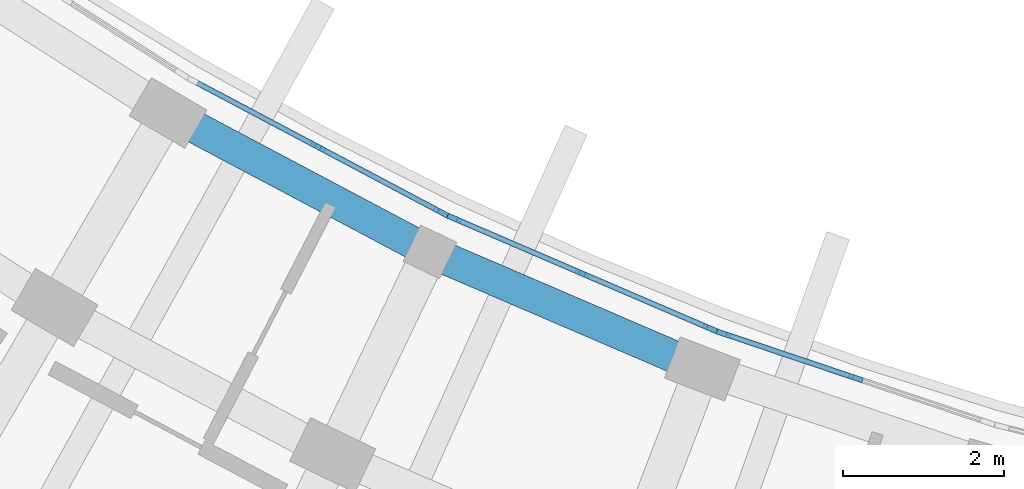
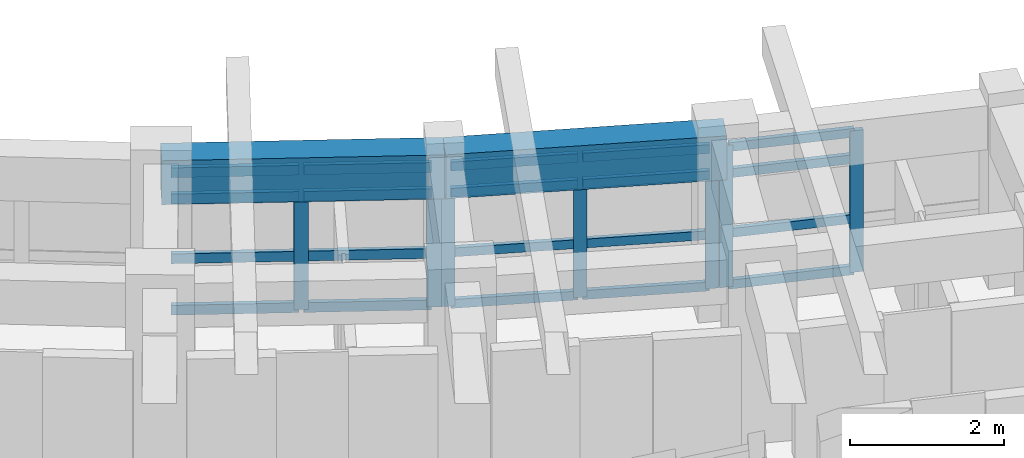
# One storey, part 24 of 70: 27 members, 2 beams, 3 elements without a shape of their own.
"""IFC4 building model written with IfcOpenShell, lengths in metres."""

from ifc_helpers import new_model, si_unit, direction, frame, origin, origin_2d, place, context, subcontext, project, spatial, rectangle, extrude, material, material_profile, profile_set, type_object, element, aggregate, save


model = new_model("IFC4")

# Units and contexts
model_context = context("Model", 3, precision=1e-05, world=origin(), true_north=direction((0.0, 1.0)))
body_context = subcontext(model_context, "Body", "Model", "MODEL_VIEW")
ifc_project = project(units=[si_unit("LENGTHUNIT", "METRE"), si_unit("AREAUNIT", "SQUARE_METRE"), si_unit("VOLUMEUNIT", "CUBIC_METRE"), si_unit("PLANEANGLEUNIT", "RADIAN"), si_unit("MASSUNIT", "GRAM", prefix="KILO")], contexts=[model_context])

# Site, building, storey
site_placement = place(None, origin())
site = spatial("IfcSite", under=ifc_project, at=site_placement, CompositionType="ELEMENT")
building_placement = place(site_placement, origin())
building = spatial("IfcBuilding", under=site, at=building_placement, Name="Zimvara Arc Housing Community", CompositionType="ELEMENT")
storey_placement = place(building_placement, frame((0.0, 0.0, 8.10009765625)))
storey = spatial("IfcBuildingStorey", under=building, at=storey_placement, Name="L02", CompositionType="ELEMENT", Elevation=8.10009765625)

# Beams
ifc_material_1 = material(Name="Concrete C40/50", Category="concrete")
ifc_material_profile_1 = material_profile(ifc_material_1, rectangle(XDim=0.39990234375, YDim=0.699951171875, at=origin_2d()), Name="RC 400x700")
ifc_profile_set_1 = profile_set([ifc_material_profile_1], Name="Concrete C40/50")
beam_type = type_object("IfcBeamType", Name="BM-RC-400x700", PredefinedType="BEAM", material=ifc_profile_set_1)
for number, where, z_axis, x_axis, name in (
    (1, (103.229248046875, 70.895751953125, 2.52978515625), (0.883449220086, -0.468526920815, 0.0), (0.468526920815, 0.883449220086, 0.0), "bm:blkC:L02:chord:r0:b4"),
    (2, (106.484375, 69.16943359375, 2.52978515625), (0.918716071386, -0.394918700718, 0.0), (0.394918700718, 0.918716071386, 0.0), "bm:blkC:L02:chord:r0:b5"),
):
    element("IfcBeam", number, at=place(storey_placement, frame(where, z_axis=z_axis, x_axis=x_axis)), inside=storey, type_object=beam_type, Name=name, PredefinedType="BEAM", context=body_context, shape_type="SweptSolid", body=[
        extrude(rectangle(XDim=0.39990234375, YDim=0.699951171875, at=origin_2d()), origin(), (0.0, 0.0, 1.0), 3.6845703125),
    ])

# Curtain wall, members
ifc_material_2 = material(Name="Anodised Aluminium AW-6063", Category="aluminium")
curtain_wall_type_1 = type_object("IfcCurtainWallType", Name="CW-SYS-04", PredefinedType="USERDEFINED", material=ifc_material_2)
curtain_wall_1_placement = place(storey_placement, origin())
curtain_wall_1 = element("IfcCurtainWall", 3, at=curtain_wall_1_placement, inside=storey, type_object=curtain_wall_type_1, Name="cw:blkC:L02:in:b5", ObjectType="CURTAIN WALL", PredefinedType="USERDEFINED")
ifc_material_3 = material(Name="Anodised Aluminium AW-6063", Category="aluminium")
ifc_material_profile_2 = material_profile(ifc_material_3, rectangle(XDim=0.06494140625, YDim=0.179931640625, at=origin_2d()), Name="ALU 65x180")
ifc_profile_set_2 = profile_set([ifc_material_profile_2], Name="Anodised Aluminium AW-6063")
member_type_1 = type_object("IfcMemberType", Name="CWM-65x150", PredefinedType="MULLION", material=ifc_profile_set_2)
member_1_placement = place(storey_placement, frame((106.785400390625, 69.583740234375, 0.0), z_axis=(0.0, 0.0, 1.0), x_axis=(0.394904493375, 0.918722178415, 0.0)))
member_1 = element("IfcMember", 4, at=member_1_placement, type_object=member_type_1, Name="CW04 mullion 1", PredefinedType="MULLION", context=body_context, shape_type="SweptSolid", body=[
    extrude(rectangle(XDim=0.06494140625, YDim=0.179931640625, at=origin_2d()), origin(), (0.0, 0.0, 1.0), 2.25),
])
member_2_placement = place(storey_placement, frame((108.3740234375, 68.90087890625, 0.0), z_axis=(0.0, 0.0, 1.0), x_axis=(0.394904493375, 0.918722178415, 0.0)))
member_2 = element("IfcMember", 5, at=member_2_placement, type_object=member_type_1, Name="CW04 mullion 2", PredefinedType="MULLION", context=body_context, shape_type="SweptSolid", body=[
    extrude(rectangle(XDim=0.06494140625, YDim=0.179931640625, at=origin_2d()), origin(), (0.0, 0.0, 1.0), 2.25),
])
member_3_placement = place(storey_placement, frame((109.962890625, 68.2177734375, 0.0), z_axis=(0.0, 0.0, 1.0), x_axis=(0.394904493375, 0.918722178415, 0.0)))
member_3 = element("IfcMember", 6, at=member_3_placement, type_object=member_type_1, Name="CW04 mullion 3", PredefinedType="MULLION", context=body_context, shape_type="SweptSolid", body=[
    extrude(rectangle(XDim=0.06494140625, YDim=0.179931640625, at=origin_2d()), origin(), (0.0, 0.0, 1.0), 2.25),
])

ifc_material_4 = material(Name="Anodised Aluminium AW-6063", Category="aluminium")
curtain_wall_type_2 = type_object("IfcCurtainWallType", Name="CW-SYS-06", PredefinedType="USERDEFINED", material=ifc_material_4)
curtain_wall_2_placement = place(storey_placement, origin())
curtain_wall_2 = element("IfcCurtainWall", 7, at=curtain_wall_2_placement, inside=storey, type_object=curtain_wall_type_2, Name="cw:blkC:L02:in:b6", ObjectType="CURTAIN WALL", PredefinedType="USERDEFINED")
member_4_placement = place(storey_placement, frame((110.135498046875, 68.15185546875, 0.0), z_axis=(0.0, 0.0, 1.0), x_axis=(0.318630249383, 0.94787908732, 0.0)))
member_4 = element("IfcMember", 8, at=member_4_placement, type_object=member_type_1, Name="CW06 mullion 1", PredefinedType="MULLION", context=body_context, shape_type="SweptSolid", body=[
    extrude(rectangle(XDim=0.06494140625, YDim=0.179931640625, at=origin_2d()), origin(), (0.0, 0.0, 1.0), 2.25),
])
member_5_placement = place(storey_placement, frame((111.774658203125, 67.600830078125, 0.0), z_axis=(0.0, 0.0, 1.0), x_axis=(0.318630249383, 0.94787908732, 0.0)))
member_5 = element("IfcMember", 9, at=member_5_placement, type_object=member_type_1, Name="CW06 mullion 2", PredefinedType="MULLION", context=body_context, shape_type="SweptSolid", body=[
    extrude(rectangle(XDim=0.06494140625, YDim=0.179931640625, at=origin_2d()), origin(), (0.0, 0.0, 1.0), 2.25),
])

ifc_material_5 = material(Name="Anodised Aluminium AW-6063", Category="aluminium")
curtain_wall_type_3 = type_object("IfcCurtainWallType", Name="CW-SYS-03", PredefinedType="USERDEFINED", material=ifc_material_5)
curtain_wall_3_placement = place(storey_placement, origin())
curtain_wall_3 = element("IfcCurtainWall", 10, at=curtain_wall_3_placement, inside=storey, type_object=curtain_wall_type_3, Name="cw:blkC:L02:in:b4", ObjectType="CURTAIN WALL", PredefinedType="USERDEFINED")
ifc_material_6 = material(Name="Anodised Aluminium AW-6063", Category="aluminium")
ifc_material_profile_3 = material_profile(ifc_material_6, rectangle(XDim=0.06494140625, YDim=0.195068359375, at=origin_2d()), Name="ALU 65x195")
ifc_profile_set_3 = profile_set([ifc_material_profile_3], Name="Anodised Aluminium AW-6063")
member_type_2 = type_object("IfcMemberType", Name="CWM-65x180", PredefinedType="MULLION", material=ifc_profile_set_3)
member_6_placement = place(storey_placement, frame((105.0908203125, 70.473876953125, 0.0), z_axis=(0.0, 0.0, 1.0), x_axis=(0.468544648573, 0.88343981815, 0.0)))
member_6 = element("IfcMember", 11, at=member_6_placement, type_object=member_type_2, Name="CW03 mullion 2", PredefinedType="MULLION", context=body_context, shape_type="SweptSolid", body=[
    extrude(rectangle(XDim=0.06494140625, YDim=0.195068359375, at=origin_2d()), origin(), (0.0, 0.0, 1.0), 2.25),
])
member_7_placement = place(storey_placement, frame((106.61865234375, 69.66357421875, 0.0), z_axis=(0.0, 0.0, 1.0), x_axis=(0.468544648573, 0.88343981815, 0.0)))
member_7 = element("IfcMember", 12, at=member_7_placement, type_object=member_type_2, Name="CW03 mullion 3", PredefinedType="MULLION", context=body_context, shape_type="SweptSolid", body=[
    extrude(rectangle(XDim=0.06494140625, YDim=0.195068359375, at=origin_2d()), origin(), (0.0, 0.0, 1.0), 2.25),
])

# Member
ifc_material_7 = material(Name="Anodised Aluminium AW-6063", Category="aluminium")
ifc_material_profile_4 = material_profile(ifc_material_7, rectangle(XDim=0.06494140625, YDim=0.139892578125, at=origin_2d()), Name="ALU 65x140")
ifc_profile_set_4 = profile_set([ifc_material_profile_4], Name="Anodised Aluminium AW-6063")
member_type_3 = type_object("IfcMemberType", Name="CWT-65x120", PredefinedType="USERDEFINED", material=ifc_profile_set_4)
member_8_placement = place(storey_placement, frame((106.815185546875, 69.57080078125, 0.032470703125), z_axis=(0.918727202972, -0.394892803832, 0.0), x_axis=(0.394892803832, 0.918727202972, 0.0)))
member_8 = element("IfcMember", 13, at=member_8_placement, type_object=member_type_3, Name="CW04 transom 1.1", ObjectType="TRANSOM", PredefinedType="USERDEFINED", context=body_context, shape_type="SweptSolid", body=[
    extrude(rectangle(XDim=0.06494140625, YDim=0.139892578125, at=origin_2d()), origin(), (0.0, 0.0, 1.0), 1.664306640625),
])

member_9_placement = place(storey_placement, frame((106.815185546875, 69.57080078125, 0.849853515625), z_axis=(0.918727202972, -0.394892803832, 0.0), x_axis=(0.394892803832, 0.918727202972, 0.0)))
member_9 = element("IfcMember", 14, at=member_9_placement, type_object=member_type_3, Name="CW04 transom 1.2", ObjectType="TRANSOM", PredefinedType="USERDEFINED", context=body_context, shape_type="SweptSolid", body=[
    extrude(rectangle(XDim=0.06494140625, YDim=0.139892578125, at=origin_2d()), origin(), (0.0, 0.0, 1.0), 1.664306640625),
])

member_10_placement = place(storey_placement, frame((106.815185546875, 69.57080078125, 1.7998046875), z_axis=(0.918727202972, -0.394892803832, 0.0), x_axis=(0.394892803832, 0.918727202972, 0.0)))
member_10 = element("IfcMember", 15, at=member_10_placement, type_object=member_type_3, Name="CW04 transom 1.3", ObjectType="TRANSOM", PredefinedType="USERDEFINED", context=body_context, shape_type="SweptSolid", body=[
    extrude(rectangle(XDim=0.06494140625, YDim=0.139892578125, at=origin_2d()), origin(), (0.0, 0.0, 1.0), 1.664306640625),
])

member_11_placement = place(storey_placement, frame((106.815185546875, 69.57080078125, 2.21728515625), z_axis=(0.918727202972, -0.394892803832, 0.0), x_axis=(0.394892803832, 0.918727202972, 0.0)))
member_11 = element("IfcMember", 16, at=member_11_placement, type_object=member_type_3, Name="CW04 transom 1.4", ObjectType="TRANSOM", PredefinedType="USERDEFINED", context=body_context, shape_type="SweptSolid", body=[
    extrude(rectangle(XDim=0.06494140625, YDim=0.139892578125, at=origin_2d()), origin(), (0.0, 0.0, 1.0), 1.664306640625),
])

member_12_placement = place(storey_placement, frame((108.40380859375, 68.887939453125, 0.032470703125), z_axis=(0.918727202972, -0.394892803832, 0.0), x_axis=(0.394892803832, 0.918727202972, 0.0)))
member_12 = element("IfcMember", 17, at=member_12_placement, type_object=member_type_3, Name="CW04 transom 2.1", ObjectType="TRANSOM", PredefinedType="USERDEFINED", context=body_context, shape_type="SweptSolid", body=[
    extrude(rectangle(XDim=0.06494140625, YDim=0.139892578125, at=origin_2d()), origin(), (0.0, 0.0, 1.0), 1.664306640625),
])

member_13_placement = place(storey_placement, frame((108.40380859375, 68.887939453125, 0.849853515625), z_axis=(0.918727202972, -0.394892803832, 0.0), x_axis=(0.394892803832, 0.918727202972, 0.0)))
member_13 = element("IfcMember", 18, at=member_13_placement, type_object=member_type_3, Name="CW04 transom 2.2", ObjectType="TRANSOM", PredefinedType="USERDEFINED", context=body_context, shape_type="SweptSolid", body=[
    extrude(rectangle(XDim=0.06494140625, YDim=0.139892578125, at=origin_2d()), origin(), (0.0, 0.0, 1.0), 1.664306640625),
])

member_14_placement = place(storey_placement, frame((108.40380859375, 68.887939453125, 1.7998046875), z_axis=(0.918727202972, -0.394892803832, 0.0), x_axis=(0.394892803832, 0.918727202972, 0.0)))
member_14 = element("IfcMember", 19, at=member_14_placement, type_object=member_type_3, Name="CW04 transom 2.3", ObjectType="TRANSOM", PredefinedType="USERDEFINED", context=body_context, shape_type="SweptSolid", body=[
    extrude(rectangle(XDim=0.06494140625, YDim=0.139892578125, at=origin_2d()), origin(), (0.0, 0.0, 1.0), 1.664306640625),
])

member_15_placement = place(storey_placement, frame((108.40380859375, 68.887939453125, 2.21728515625), z_axis=(0.918727202972, -0.394892803832, 0.0), x_axis=(0.394892803832, 0.918727202972, 0.0)))
member_15 = element("IfcMember", 20, at=member_15_placement, type_object=member_type_3, Name="CW04 transom 2.4", ObjectType="TRANSOM", PredefinedType="USERDEFINED", context=body_context, shape_type="SweptSolid", body=[
    extrude(rectangle(XDim=0.06494140625, YDim=0.139892578125, at=origin_2d()), origin(), (0.0, 0.0, 1.0), 1.664306640625),
])

aggregate(curtain_wall_1, [member_1, member_2, member_3, member_8, member_9, member_10, member_11, member_12, member_13, member_14, member_15])

member_16_placement = place(storey_placement, frame((110.166259765625, 68.1416015625, 0.032470703125), z_axis=(0.947888214723, -0.318603095385, 0.0), x_axis=(0.318603095385, 0.947888214723, 0.0)))
member_16 = element("IfcMember", 21, at=member_16_placement, type_object=member_type_3, Name="CW06 transom 1.1", ObjectType="TRANSOM", PredefinedType="USERDEFINED", context=body_context, shape_type="SweptSolid", body=[
    extrude(rectangle(XDim=0.06494140625, YDim=0.139892578125, at=origin_2d()), origin(), (0.0, 0.0, 1.0), 1.664306640625),
])

member_17_placement = place(storey_placement, frame((110.166259765625, 68.1416015625, 0.849853515625), z_axis=(0.947888214723, -0.318603095385, 0.0), x_axis=(0.318603095385, 0.947888214723, 0.0)))
member_17 = element("IfcMember", 22, at=member_17_placement, type_object=member_type_3, Name="CW06 transom 1.2", ObjectType="TRANSOM", PredefinedType="USERDEFINED", context=body_context, shape_type="SweptSolid", body=[
    extrude(rectangle(XDim=0.06494140625, YDim=0.139892578125, at=origin_2d()), origin(), (0.0, 0.0, 1.0), 1.664306640625),
])

member_18_placement = place(storey_placement, frame((110.166259765625, 68.1416015625, 1.7998046875), z_axis=(0.947888214723, -0.318603095385, 0.0), x_axis=(0.318603095385, 0.947888214723, 0.0)))
member_18 = element("IfcMember", 23, at=member_18_placement, type_object=member_type_3, Name="CW06 transom 1.3", ObjectType="TRANSOM", PredefinedType="USERDEFINED", context=body_context, shape_type="SweptSolid", body=[
    extrude(rectangle(XDim=0.06494140625, YDim=0.139892578125, at=origin_2d()), origin(), (0.0, 0.0, 1.0), 1.664306640625),
])

member_19_placement = place(storey_placement, frame((110.166259765625, 68.1416015625, 2.21728515625), z_axis=(0.947888214723, -0.318603095385, 0.0), x_axis=(0.318603095385, 0.947888214723, 0.0)))
member_19 = element("IfcMember", 24, at=member_19_placement, type_object=member_type_3, Name="CW06 transom 1.4", ObjectType="TRANSOM", PredefinedType="USERDEFINED", context=body_context, shape_type="SweptSolid", body=[
    extrude(rectangle(XDim=0.06494140625, YDim=0.139892578125, at=origin_2d()), origin(), (0.0, 0.0, 1.0), 1.664306640625),
])

aggregate(curtain_wall_2, [member_4, member_5, member_16, member_17, member_18, member_19])

ifc_material_8 = material(Name="Anodised Aluminium AW-6063", Category="aluminium")
ifc_material_profile_5 = material_profile(ifc_material_8, rectangle(XDim=0.06494140625, YDim=0.155029296875, at=origin_2d()), Name="ALU 65x155")
ifc_profile_set_5 = profile_set([ifc_material_profile_5], Name="Anodised Aluminium AW-6063")
member_type_4 = type_object("IfcMemberType", Name="CWT-65x140", PredefinedType="USERDEFINED", material=ifc_profile_set_5)
member_20_placement = place(storey_placement, frame((103.591796875, 71.268798828125, 0.032470703125), z_axis=(0.883463021947, -0.468500895252, 0.0), x_axis=(0.468500895252, 0.883463021947, 0.0)))
member_20 = element("IfcMember", 25, at=member_20_placement, type_object=member_type_4, Name="CW03 transom 1.1", ObjectType="TRANSOM", PredefinedType="USERDEFINED", context=body_context, shape_type="SweptSolid", body=[
    extrude(rectangle(XDim=0.06494140625, YDim=0.155029296875, at=origin_2d()), origin(), (0.0, 0.0, 1.0), 1.664306640625),
])

member_21_placement = place(storey_placement, frame((103.591796875, 71.268798828125, 0.849853515625), z_axis=(0.883463021947, -0.468500895252, 0.0), x_axis=(0.468500895252, 0.883463021947, 0.0)))
member_21 = element("IfcMember", 26, at=member_21_placement, type_object=member_type_4, Name="CW03 transom 1.2", ObjectType="TRANSOM", PredefinedType="USERDEFINED", context=body_context, shape_type="SweptSolid", body=[
    extrude(rectangle(XDim=0.06494140625, YDim=0.155029296875, at=origin_2d()), origin(), (0.0, 0.0, 1.0), 1.664306640625),
])

member_22_placement = place(storey_placement, frame((103.591796875, 71.268798828125, 1.7998046875), z_axis=(0.883463021947, -0.468500895252, 0.0), x_axis=(0.468500895252, 0.883463021947, 0.0)))
member_22 = element("IfcMember", 27, at=member_22_placement, type_object=member_type_4, Name="CW03 transom 1.3", ObjectType="TRANSOM", PredefinedType="USERDEFINED", context=body_context, shape_type="SweptSolid", body=[
    extrude(rectangle(XDim=0.06494140625, YDim=0.155029296875, at=origin_2d()), origin(), (0.0, 0.0, 1.0), 1.664306640625),
])

member_23_placement = place(storey_placement, frame((103.591796875, 71.268798828125, 2.21728515625), z_axis=(0.883463021947, -0.468500895252, 0.0), x_axis=(0.468500895252, 0.883463021947, 0.0)))
member_23 = element("IfcMember", 28, at=member_23_placement, type_object=member_type_4, Name="CW03 transom 1.4", ObjectType="TRANSOM", PredefinedType="USERDEFINED", context=body_context, shape_type="SweptSolid", body=[
    extrude(rectangle(XDim=0.06494140625, YDim=0.155029296875, at=origin_2d()), origin(), (0.0, 0.0, 1.0), 1.664306640625),
])

member_24_placement = place(storey_placement, frame((105.11962890625, 70.45849609375, 0.032470703125), z_axis=(0.8834308201, -0.468561613982, 0.0), x_axis=(0.468561613982, 0.8834308201, 0.0)))
member_24 = element("IfcMember", 29, at=member_24_placement, type_object=member_type_4, Name="CW03 transom 2.1", ObjectType="TRANSOM", PredefinedType="USERDEFINED", context=body_context, shape_type="SweptSolid", body=[
    extrude(rectangle(XDim=0.06494140625, YDim=0.155029296875, at=origin_2d()), origin(), (0.0, 0.0, 1.0), 1.664306640625),
])

member_25_placement = place(storey_placement, frame((105.11962890625, 70.45849609375, 0.849853515625), z_axis=(0.8834308201, -0.468561613982, 0.0), x_axis=(0.468561613982, 0.8834308201, 0.0)))
member_25 = element("IfcMember", 30, at=member_25_placement, type_object=member_type_4, Name="CW03 transom 2.2", ObjectType="TRANSOM", PredefinedType="USERDEFINED", context=body_context, shape_type="SweptSolid", body=[
    extrude(rectangle(XDim=0.06494140625, YDim=0.155029296875, at=origin_2d()), origin(), (0.0, 0.0, 1.0), 1.664306640625),
])

member_26_placement = place(storey_placement, frame((105.11962890625, 70.45849609375, 1.7998046875), z_axis=(0.8834308201, -0.468561613982, 0.0), x_axis=(0.468561613982, 0.8834308201, 0.0)))
member_26 = element("IfcMember", 31, at=member_26_placement, type_object=member_type_4, Name="CW03 transom 2.3", ObjectType="TRANSOM", PredefinedType="USERDEFINED", context=body_context, shape_type="SweptSolid", body=[
    extrude(rectangle(XDim=0.06494140625, YDim=0.155029296875, at=origin_2d()), origin(), (0.0, 0.0, 1.0), 1.664306640625),
])

member_27_placement = place(storey_placement, frame((105.11962890625, 70.45849609375, 2.21728515625), z_axis=(0.8834308201, -0.468561613982, 0.0), x_axis=(0.468561613982, 0.8834308201, 0.0)))
member_27 = element("IfcMember", 32, at=member_27_placement, type_object=member_type_4, Name="CW03 transom 2.4", ObjectType="TRANSOM", PredefinedType="USERDEFINED", context=body_context, shape_type="SweptSolid", body=[
    extrude(rectangle(XDim=0.06494140625, YDim=0.155029296875, at=origin_2d()), origin(), (0.0, 0.0, 1.0), 1.664306640625),
])

aggregate(curtain_wall_3, [member_6, member_7, member_20, member_21, member_22, member_23, member_24, member_25, member_26, member_27])

save(model, "model.ifc")
